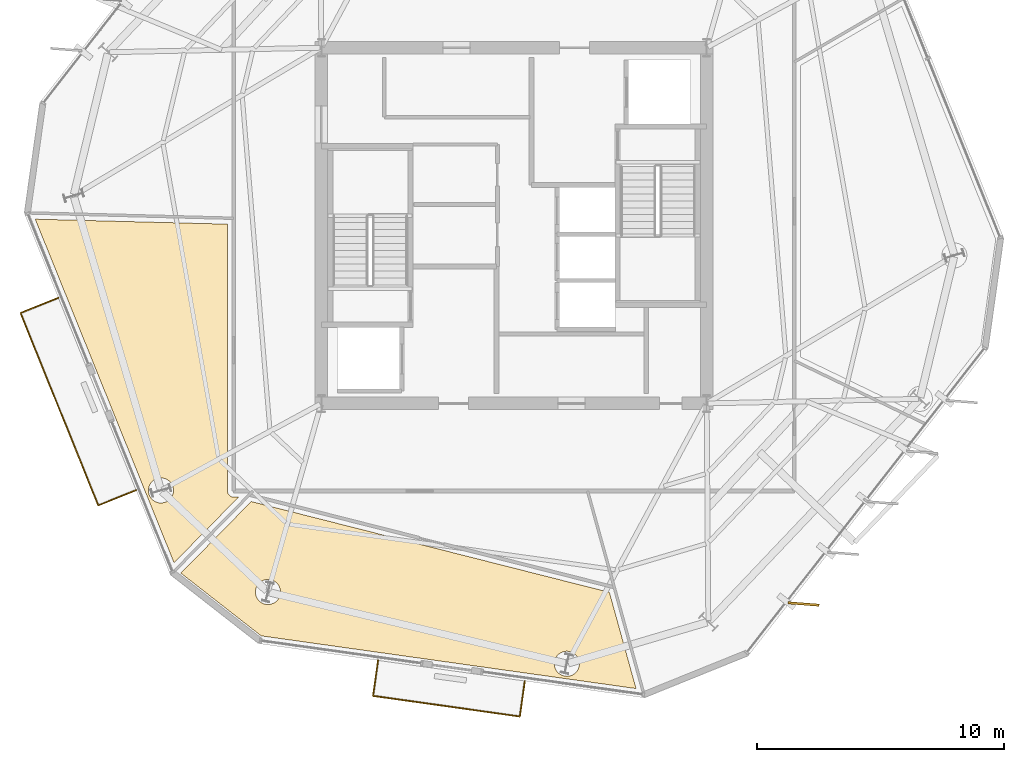
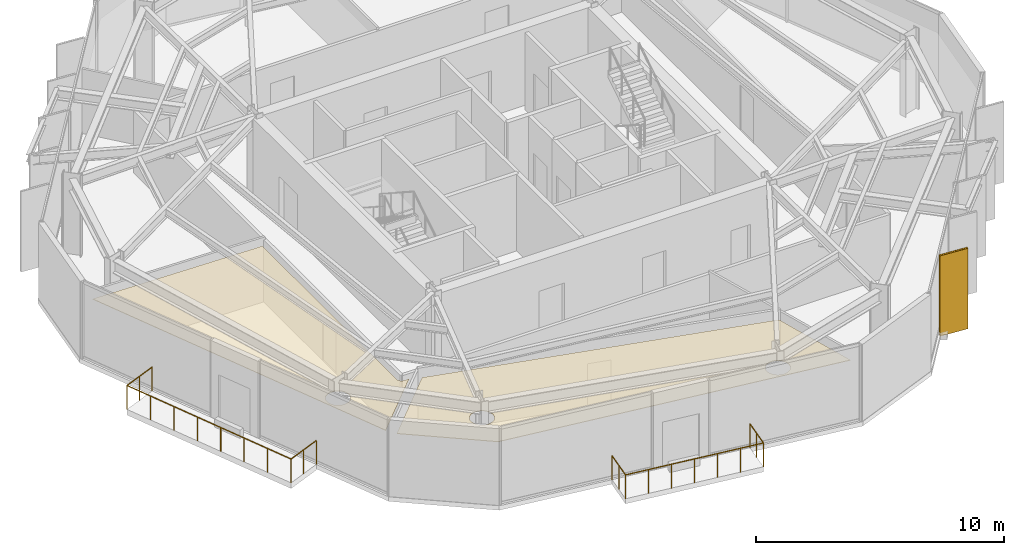
# One storey, part 9 of 11: 3 coverings, 2 railings, 1 shading device.
"""IFC4 building model written with IfcOpenShell, lengths in metres."""

from ifc_helpers import new_model, si_unit, direction, frame, origin, origin_2d, place, context, subcontext, project, spatial, polyline, rectangle, circle, outline, extrude, material, layer, layer_set, type_object, element, save


model = new_model("IFC4")

# Units and contexts
model_context = context("Model", 3, precision=1e-05, world=origin(), true_north=direction((0.0, 1.0)))
body_context = subcontext(model_context, "Body", "Model", "MODEL_VIEW")
ifc_project = project(units=[si_unit("LENGTHUNIT", "METRE"), si_unit("AREAUNIT", "SQUARE_METRE"), si_unit("VOLUMEUNIT", "CUBIC_METRE"), si_unit("PLANEANGLEUNIT", "RADIAN"), si_unit("MASSUNIT", "GRAM", prefix="KILO")], contexts=[model_context])

# Site, building, storey
site_placement = place(None, origin())
site = spatial("IfcSite", under=ifc_project, at=site_placement, CompositionType="ELEMENT")
building_placement = place(site_placement, origin())
building = spatial("IfcBuilding", under=site, at=building_placement, Name="Kranzbogen Civic Tower", CompositionType="ELEMENT")
storey_placement = place(building_placement, frame((0.0, 0.0, 232.800048828125)))
storey = spatial("IfcBuildingStorey", under=building, at=storey_placement, Name="L56", CompositionType="ELEMENT", Elevation=232.800048828125)

# Covering
ifc_material_1 = material(Name="Pale Anodised Aluminium", Category="aluminium")
ifc_layer_1 = layer(ifc_material_1, 0.02490234375, Name="Pale Anodised Aluminium")
ifc_layer_set_1 = layer_set([ifc_layer_1], Name="Pale Anodised Aluminium")
covering_type_1 = type_object("IfcCoveringType", Name="Anodised Aluminium Vertical Fin Cladding 25 mm", PredefinedType="CLADDING", material=ifc_layer_set_1)
covering_1_placement = place(storey_placement, frame((36.72412109375, 9.678955078125, -0.14013671875), z_axis=(0.0, 0.0, 1.0), x_axis=(0.996963716769, -0.077867499294, 0.0)))
element("IfcCovering", 1, at=covering_1_placement, inside=storey, type_object=covering_type_1, Name="L56 vertical fin pale-metal cladding F5-1", PredefinedType="CLADDING", context=body_context, shape_type="SweptSolid", body=[
    extrude(rectangle(XDim=1.25, YDim=0.10009765625, at=origin_2d()), origin(), (0.0, 0.0, 1.0), 3.9599609375),
])

# Shading device
ifc_material_2 = material(Name="Anodised Bronze Aluminium", Category="aluminium")
shading_device_type = type_object("IfcShadingDeviceType", Name="Anodised Bronze Vertical Facade Fin 1250x80", PredefinedType="USERDEFINED", material=ifc_material_2)
shading_device_placement = place(storey_placement, frame((36.72412109375, 9.678955078125, -0.14013671875), z_axis=(0.0, 0.0, 1.0), x_axis=(0.996963716769, -0.077867499294, 0.0)))
element("IfcShadingDevice", 2, at=shading_device_placement, inside=storey, type_object=shading_device_type, Name="L56 vertical exterior shading fin F5-1", ObjectType="FIN", PredefinedType="USERDEFINED", context=body_context, shape_type="SweptSolid", body=[
    extrude(rectangle(XDim=1.25, YDim=0.080078125, at=origin_2d()), origin(), (0.0, 0.0, 1.0), 3.9599609375),
])

# Railings
railing_type = type_object("IfcRailingType", Name="Cantilevered Balcony Glass and Bronze Balustrade 1200", PredefinedType="BALUSTRADE", material=ifc_material_2)
railing_1_placement = place(storey_placement, frame((19.49609375, 7.39501953125, 0.0)))
element("IfcRailing", 3, at=railing_1_placement, inside=storey, type_object=railing_type, Name="L56 exterior terrace balustrade L56-TB2", PredefinedType="BALUSTRADE", context=body_context, shape_type="SweptSolid", body=[
    extrude(circle(Radius=0.02392578125, at=origin_2d()), frame((0.0, 0.0, 1.17578125), z_axis=(-0.139394121125, -0.99023698123, 0.0), x_axis=(0.99023698123, -0.139394121125, 0.0)), (0.0, 0.0, 1.0), 1.4501953125),
    extrude(circle(Radius=0.02392578125, at=origin_2d()), frame((-0.2021484375, -1.43603515625, 1.17578125), z_axis=(0.990271563932, -0.139148229124, 0.0), x_axis=(0.139148229124, 0.990271563932, 0.0)), (0.0, 0.0, 1.0), 6.00048828125),
    extrude(circle(Radius=0.02392578125, at=origin_2d()), frame((5.739990234375, -2.27099609375, 1.17578125), z_axis=(0.139229036098, 0.99026020596, 0.0), x_axis=(-0.99026020596, 0.139229036098, 0.0)), (0.0, 0.0, 1.0), 1.4501953125),
    extrude(circle(Radius=0.02099609375, at=origin_2d()), origin(), (0.0, 0.0, 1.0), 1.15185546875),
    extrude(circle(Radius=0.02099609375, at=origin_2d()), frame((-0.10107421875, -0.718017578125, 0.0)), (0.0, 0.0, 1.0), 1.15185546875),
    extrude(circle(Radius=0.02099609375, at=origin_2d()), frame((-0.2021484375, -1.43603515625, 0.0)), (0.0, 0.0, 1.0), 1.15185546875),
    extrude(circle(Radius=0.02099609375, at=origin_2d()), frame((0.7880859375, -1.5751953125, 0.0)), (0.0, 0.0, 1.0), 1.15185546875),
    extrude(circle(Radius=0.02099609375, at=origin_2d()), frame((1.778564453125, -1.71435546875, 0.0)), (0.0, 0.0, 1.0), 1.15185546875),
    extrude(circle(Radius=0.02099609375, at=origin_2d()), frame((2.76904296875, -1.853515625, 0.0)), (0.0, 0.0, 1.0), 1.15185546875),
    extrude(circle(Radius=0.02099609375, at=origin_2d()), frame((3.75927734375, -1.99267578125, 0.0)), (0.0, 0.0, 1.0), 1.15185546875),
    extrude(circle(Radius=0.02099609375, at=origin_2d()), frame((4.74951171875, -2.1318359375, 0.0)), (0.0, 0.0, 1.0), 1.15185546875),
    extrude(circle(Radius=0.02099609375, at=origin_2d()), frame((5.739990234375, -2.27099609375, 0.0)), (0.0, 0.0, 1.0), 1.15185546875),
    extrude(circle(Radius=0.02099609375, at=origin_2d()), frame((5.8408203125, -1.552978515625, 0.0)), (0.0, 0.0, 1.0), 1.15185546875),
    extrude(circle(Radius=0.02099609375, at=origin_2d()), frame((5.94189453125, -0.8349609375, 0.0)), (0.0, 0.0, 1.0), 1.15185546875),
])
railing_2_placement = place(storey_placement, frame((6.552001953125, 22.075927734375, 0.0)))
element("IfcRailing", 4, at=railing_2_placement, inside=storey, type_object=railing_type, Name="L56 exterior terrace balustrade L56-ST", PredefinedType="BALUSTRADE", context=body_context, shape_type="SweptSolid", body=[
    extrude(circle(Radius=0.02392578125, at=origin_2d()), frame((0.0, 0.0, 1.17578125), z_axis=(-0.927236897338, -0.374475281181, 0.0), x_axis=(0.374475281181, -0.927236897338, 0.0)), (0.0, 0.0, 1.0), 1.650146484375),
    extrude(circle(Radius=0.02392578125, at=origin_2d()), frame((-1.530029296875, -0.617919921875, 1.17578125), z_axis=(0.374645656341, -0.927168071163, 0.0), x_axis=(0.927168071163, 0.374645656341, 0.0)), (0.0, 0.0, 1.0), 8.39990234375),
    extrude(circle(Radius=0.02392578125, at=origin_2d()), frame((1.616943359375, -8.406005859375, 1.17578125), z_axis=(0.927185517283, 0.374602478022, 0.0), x_axis=(-0.374602478022, 0.927185517283, 0.0)), (0.0, 0.0, 1.0), 1.650146484375),
    extrude(circle(Radius=0.02099609375, at=origin_2d()), origin(), (0.0, 0.0, 1.0), 1.15185546875),
    extrude(circle(Radius=0.02099609375, at=origin_2d()), frame((-0.76513671875, -0.30908203125, 0.0)), (0.0, 0.0, 1.0), 1.15185546875),
    extrude(circle(Radius=0.02099609375, at=origin_2d()), frame((-1.530029296875, -0.617919921875, 0.0)), (0.0, 0.0, 1.0), 1.15185546875),
    extrude(circle(Radius=0.02099609375, at=origin_2d()), frame((-1.08056640625, -1.73046875, 0.0)), (0.0, 0.0, 1.0), 1.15185546875),
    extrude(circle(Radius=0.02099609375, at=origin_2d()), frame((-0.630859375, -2.843017578125, 0.0)), (0.0, 0.0, 1.0), 1.15185546875),
    extrude(circle(Radius=0.02099609375, at=origin_2d()), frame((-0.181396484375, -3.95556640625, 0.0)), (0.0, 0.0, 1.0), 1.15185546875),
    extrude(circle(Radius=0.02099609375, at=origin_2d()), frame((0.268310546875, -5.068359375, 0.0)), (0.0, 0.0, 1.0), 1.15185546875),
    extrude(circle(Radius=0.02099609375, at=origin_2d()), frame((0.7177734375, -6.180908203125, 0.0)), (0.0, 0.0, 1.0), 1.15185546875),
    extrude(circle(Radius=0.02099609375, at=origin_2d()), frame((1.16748046875, -7.29345703125, 0.0)), (0.0, 0.0, 1.0), 1.15185546875),
    extrude(circle(Radius=0.02099609375, at=origin_2d()), frame((1.616943359375, -8.406005859375, 0.0)), (0.0, 0.0, 1.0), 1.15185546875),
    extrude(circle(Radius=0.02099609375, at=origin_2d()), frame((2.3818359375, -8.096923828125, 0.0)), (0.0, 0.0, 1.0), 1.15185546875),
    extrude(circle(Radius=0.02099609375, at=origin_2d()), frame((3.14697265625, -7.787841796875, 0.0)), (0.0, 0.0, 1.0), 1.15185546875),
])

# Coverings
ifc_material_3 = material(Name="Perforated Acoustic Gypsum Ceiling")
ifc_layer_2 = layer(ifc_material_3, 0.02490234375, Name="Perforated Acoustic Gypsum Ceiling")
ifc_layer_set_2 = layer_set([ifc_layer_2], Name="Perforated Acoustic Gypsum Ceiling")
covering_type_2 = type_object("IfcCoveringType", Name="Perforated Acoustic Mineral Ceiling Tile 25 mm", PredefinedType="CEILING", material=ifc_layer_set_2)
covering_2_placement = place(storey_placement, frame((0.0, 0.0, 2.89990234375)))
element("IfcCovering", 5, at=covering_2_placement, inside=storey, type_object=covering_type_2, Name="L56 Delegates Sitting Lounge acoustic ceiling", PredefinedType="CEILING", context=body_context, shape_type="SweptSolid", body=[
    extrude(outline(polyline([(13.405029296875, 25.056884765625), (13.405029296875, 14.25), (13.405029296875, 14.240966796875), (13.406005859375, 14.235107421875), (13.406982421875, 14.217041015625), (13.407958984375, 14.2109375), (13.412109375, 14.194091796875), (13.4130859375, 14.18701171875), (13.41796875, 14.169921875), (13.419921875, 14.1640625), (13.427001953125, 14.14794921875), (13.429931640625, 14.14208984375), (13.43798828125, 14.126953125), (13.44189453125, 14.12109375), (13.450927734375, 14.10693359375), (13.455078125, 14.10205078125), (13.466064453125, 14.087890625), (13.470947265625, 14.0830078125), (13.48291015625, 14.071044921875), (13.488037109375, 14.06591796875), (13.501953125, 14.054931640625), (13.507080078125, 14.051025390625), (13.52099609375, 14.0419921875), (13.527099609375, 14.0380859375), (13.5419921875, 14.030029296875), (13.548095703125, 14.027099609375), (13.56396484375, 14.02001953125), (13.570068359375, 14.01806640625), (13.5869140625, 14.012939453125), (13.593994140625, 14.011962890625), (13.611083984375, 14.008056640625), (13.616943359375, 14.007080078125), (13.635009765625, 14.006103515625), (13.64111328125, 14.0048828125), (13.64990234375, 14.0048828125), (13.847900390625, 14.0048828125), (11.236083984375, 11.347900390625), (5.615966796875, 25.259033203125), (13.405029296875, 25.056884765625)]), holes=[polyline([(11.176025390625, 14.08203125), (11.154052734375, 14.037109375), (11.12890625, 13.993896484375), (11.09912109375, 13.9541015625), (11.06591796875, 13.9169921875), (11.029052734375, 13.884033203125), (10.989013671875, 13.85400390625), (10.946044921875, 13.8291015625), (10.90087890625, 13.806884765625), (10.85400390625, 13.791015625), (10.805908203125, 13.779052734375), (10.757080078125, 13.77099609375), (10.70703125, 13.76904296875), (10.656982421875, 13.77099609375), (10.60791015625, 13.779052734375), (10.56005859375, 13.791015625), (10.512939453125, 13.806884765625), (10.468017578125, 13.8291015625), (10.425048828125, 13.85400390625), (10.385009765625, 13.884033203125), (10.347900390625, 13.9169921875), (10.31494140625, 13.9541015625), (10.284912109375, 13.993896484375), (10.260009765625, 14.037109375), (10.238037109375, 14.08203125), (10.221923828125, 14.12890625), (10.2099609375, 14.177001953125), (10.201904296875, 14.22607421875), (10.199951171875, 14.27587890625), (10.201904296875, 14.325927734375), (10.2099609375, 14.375), (10.221923828125, 14.423095703125), (10.238037109375, 14.469970703125), (10.260009765625, 14.514892578125), (10.284912109375, 14.55810546875), (10.31494140625, 14.597900390625), (10.347900390625, 14.635009765625), (10.385009765625, 14.66796875), (10.425048828125, 14.697998046875), (10.468017578125, 14.722900390625), (10.512939453125, 14.7451171875), (10.56005859375, 14.760986328125), (10.60791015625, 14.77294921875), (10.656982421875, 14.781005859375), (10.70703125, 14.782958984375), (10.757080078125, 14.781005859375), (10.805908203125, 14.77294921875), (10.85400390625, 14.760986328125), (10.90087890625, 14.7451171875), (10.946044921875, 14.722900390625), (10.989013671875, 14.697998046875), (11.029052734375, 14.66796875), (11.06591796875, 14.635009765625), (11.09912109375, 14.597900390625), (11.12890625, 14.55810546875), (11.154052734375, 14.514892578125), (11.176025390625, 14.469970703125), (11.19189453125, 14.423095703125), (11.2041015625, 14.375), (11.2119140625, 14.325927734375), (11.214111328125, 14.27587890625), (11.2119140625, 14.22607421875), (11.2041015625, 14.177001953125), (11.19189453125, 14.12890625), (11.176025390625, 14.08203125)])]), origin(), (0.0, 0.0, 1.0), 0.025146484375),
])
covering_3_placement = place(storey_placement, frame((0.0, 0.0, 2.89990234375)))
element("IfcCovering", 6, at=covering_3_placement, inside=storey, type_object=covering_type_2, Name="L56 Protocol Dining Room acoustic ceiling", PredefinedType="CEILING", context=body_context, shape_type="SweptSolid", body=[
    extrude(outline(polyline([(14.35888671875, 13.825927734375), (28.861083984375, 10.152099609375), (29.94091796875, 6.2548828125), (14.764892578125, 8.387939453125), (11.511962890625, 10.928955078125), (14.35888671875, 13.825927734375)]), holes=[polyline([(15.508056640625, 9.970947265625), (15.486083984375, 9.926025390625), (15.4609375, 9.883056640625), (15.430908203125, 9.843017578125), (15.39794921875, 9.805908203125), (15.361083984375, 9.77294921875), (15.321044921875, 9.742919921875), (15.278076171875, 9.718017578125), (15.23291015625, 9.696044921875), (15.18603515625, 9.679931640625), (15.137939453125, 9.66796875), (15.089111328125, 9.659912109375), (15.0390625, 9.657958984375), (14.989013671875, 9.659912109375), (14.93994140625, 9.66796875), (14.89208984375, 9.679931640625), (14.844970703125, 9.696044921875), (14.800048828125, 9.718017578125), (14.757080078125, 9.742919921875), (14.717041015625, 9.77294921875), (14.679931640625, 9.805908203125), (14.64697265625, 9.843017578125), (14.616943359375, 9.883056640625), (14.592041015625, 9.926025390625), (14.570068359375, 9.970947265625), (14.553955078125, 10.01806640625), (14.5419921875, 10.06591796875), (14.533935546875, 10.114990234375), (14.531982421875, 10.1650390625), (14.533935546875, 10.215087890625), (14.5419921875, 10.263916015625), (14.553955078125, 10.31201171875), (14.570068359375, 10.35888671875), (14.592041015625, 10.404052734375), (14.616943359375, 10.447021484375), (14.64697265625, 10.487060546875), (14.679931640625, 10.52392578125), (14.717041015625, 10.556884765625), (14.757080078125, 10.5869140625), (14.800048828125, 10.612060546875), (14.844970703125, 10.634033203125), (14.89208984375, 10.64990234375), (14.93994140625, 10.662109375), (14.989013671875, 10.669921875), (15.0390625, 10.672119140625), (15.089111328125, 10.669921875), (15.137939453125, 10.662109375), (15.18603515625, 10.64990234375), (15.23291015625, 10.634033203125), (15.278076171875, 10.612060546875), (15.321044921875, 10.5869140625), (15.361083984375, 10.556884765625), (15.39794921875, 10.52392578125), (15.430908203125, 10.487060546875), (15.4609375, 10.447021484375), (15.486083984375, 10.404052734375), (15.508056640625, 10.35888671875), (15.52392578125, 10.31201171875), (15.535888671875, 10.263916015625), (15.5439453125, 10.215087890625), (15.5458984375, 10.1650390625), (15.5439453125, 10.114990234375), (15.535888671875, 10.06591796875), (15.52392578125, 10.01806640625), (15.508056640625, 9.970947265625)]), polyline([(27.60888671875, 7.06591796875), (27.5869140625, 7.02099609375), (27.56201171875, 6.97802734375), (27.531982421875, 6.93798828125), (27.4990234375, 6.90087890625), (27.4619140625, 6.867919921875), (27.422119140625, 6.837890625), (27.37890625, 6.81298828125), (27.333984375, 6.791015625), (27.287109375, 6.77490234375), (27.239013671875, 6.762939453125), (27.18994140625, 6.7548828125), (27.139892578125, 6.7529296875), (27.090087890625, 6.7548828125), (27.041015625, 6.762939453125), (26.992919921875, 6.77490234375), (26.946044921875, 6.791015625), (26.90087890625, 6.81298828125), (26.85791015625, 6.837890625), (26.818115234375, 6.867919921875), (26.781005859375, 6.90087890625), (26.748046875, 6.93798828125), (26.718017578125, 6.97802734375), (26.693115234375, 7.02099609375), (26.6708984375, 7.06591796875), (26.655029296875, 7.113037109375), (26.64306640625, 7.160888671875), (26.635009765625, 7.2099609375), (26.633056640625, 7.260009765625), (26.635009765625, 7.31005859375), (26.64306640625, 7.35888671875), (26.655029296875, 7.406982421875), (26.6708984375, 7.4541015625), (26.693115234375, 7.4990234375), (26.718017578125, 7.5419921875), (26.748046875, 7.58203125), (26.781005859375, 7.618896484375), (26.818115234375, 7.652099609375), (26.85791015625, 7.681884765625), (26.90087890625, 7.70703125), (26.946044921875, 7.72900390625), (26.992919921875, 7.7451171875), (27.041015625, 7.757080078125), (27.090087890625, 7.764892578125), (27.139892578125, 7.76708984375), (27.18994140625, 7.764892578125), (27.239013671875, 7.757080078125), (27.287109375, 7.7451171875), (27.333984375, 7.72900390625), (27.37890625, 7.70703125), (27.422119140625, 7.681884765625), (27.4619140625, 7.652099609375), (27.4990234375, 7.618896484375), (27.531982421875, 7.58203125), (27.56201171875, 7.5419921875), (27.5869140625, 7.4990234375), (27.60888671875, 7.4541015625), (27.625, 7.406982421875), (27.636962890625, 7.35888671875), (27.64501953125, 7.31005859375), (27.64697265625, 7.260009765625), (27.64501953125, 7.2099609375), (27.636962890625, 7.160888671875), (27.625, 7.113037109375), (27.60888671875, 7.06591796875)])]), origin(), (0.0, 0.0, 1.0), 0.025146484375),
])

save(model, "model.ifc")
